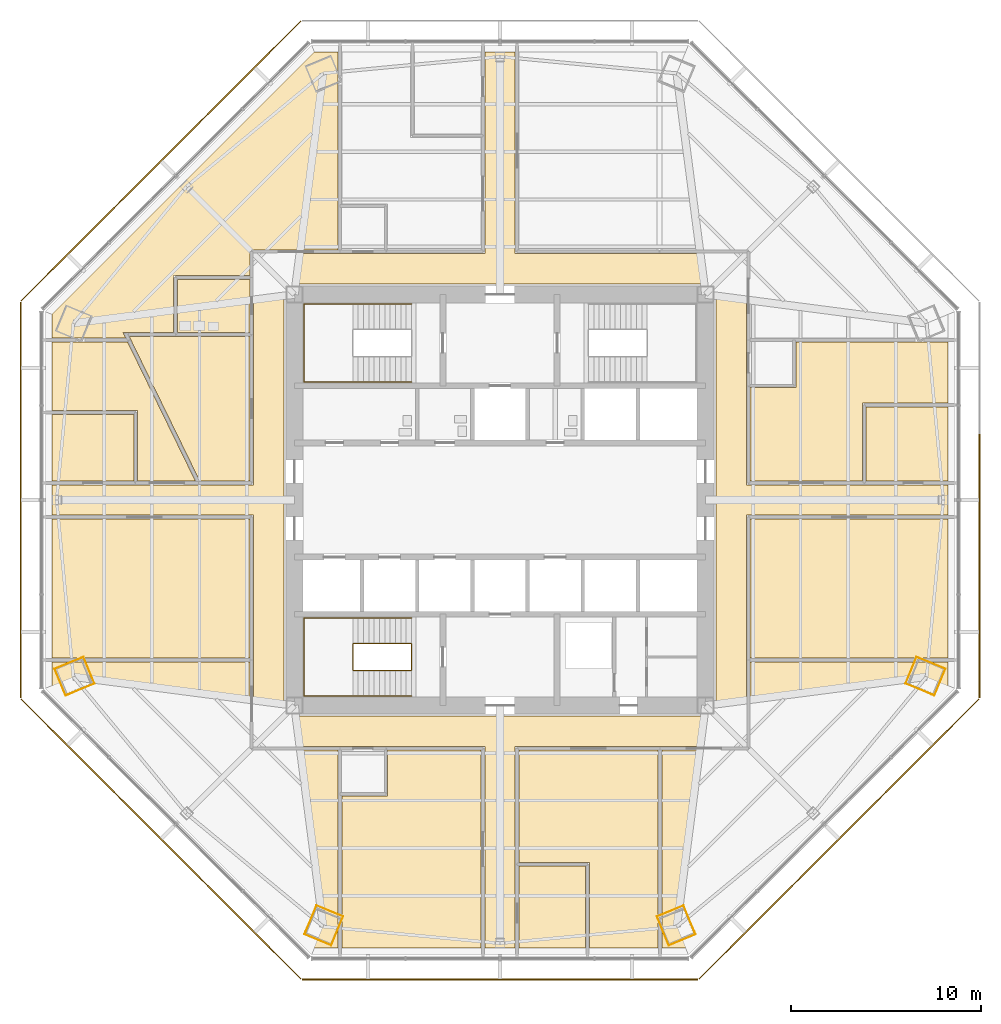
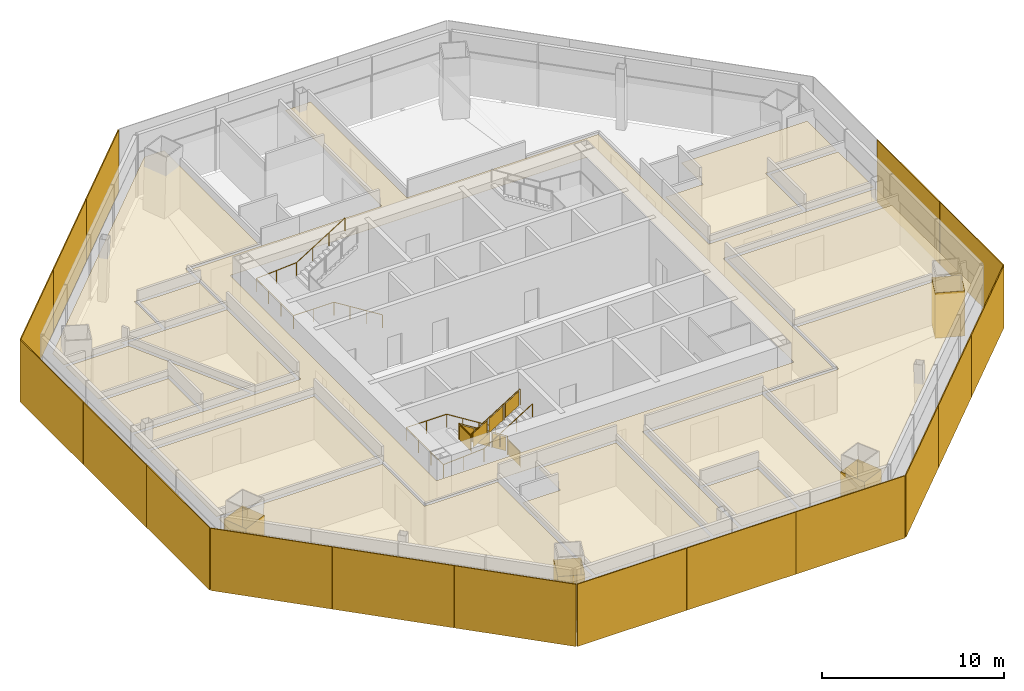
# One storey, part 12 of 14: 19 coverings, 17 shading devices, 3 railings.
"""IFC4 building model written with IfcOpenShell, lengths in metres."""

from ifc_helpers import new_model, si_unit, direction, frame, origin, origin_2d, place, context, subcontext, project, spatial, polyline, rectangle, circle, outline, extrude, source, transform, mapped, material, layer, layer_set, type_object, type_shapes, element, save


model = new_model("IFC4")

# Units and contexts
model_context = context("Model", 3, precision=1e-05, world=origin(), true_north=direction((0.0, 1.0)))
body_context = subcontext(model_context, "Body", "Model", "MODEL_VIEW")
ifc_project = project(units=[si_unit("LENGTHUNIT", "METRE"), si_unit("AREAUNIT", "SQUARE_METRE"), si_unit("VOLUMEUNIT", "CUBIC_METRE"), si_unit("PLANEANGLEUNIT", "RADIAN"), si_unit("MASSUNIT", "GRAM", prefix="KILO")], contexts=[model_context])

# Site, building, storey
site_placement = place(None, origin())
site = spatial("IfcSite", under=ifc_project, at=site_placement, CompositionType="ELEMENT")
building_placement = place(site_placement, origin())
building = spatial("IfcBuilding", under=site, at=building_placement, Name="Mashrafa Tower", CompositionType="ELEMENT")
storey_placement = place(building_placement, frame((0.0, 0.0, 138.60009765625)))
storey = spatial("IfcBuildingStorey", under=building, at=storey_placement, Name="L31", CompositionType="ELEMENT", Elevation=138.60009765625)

# Coverings
ifc_material_1 = material(Name="Gypsum board")
ifc_layer_1 = layer(ifc_material_1, 0.014892578125)
ifc_layer_set_1 = layer_set([ifc_layer_1], Name="Column casing plasterboard 15")
covering_type_1 = type_object("IfcCoveringType", Name="Column casing plasterboard 15", PredefinedType="CLADDING", material=ifc_layer_set_1)
covering_1_placement = place(storey_placement, origin())
element("IfcCovering", 1, at=covering_1_placement, inside=storey, type_object=covering_type_1, Name="Column casing L31-001", PredefinedType="CLADDING", context=body_context, shape_type="SweptSolid", body=[
    extrude(outline(polyline([(-23.41552734375, -8.87109375), (-22.01513671875, -8.291015625), (-21.882568359375, -8.236083984375), (-21.297119140625, -9.649658203125), (-22.697509765625, -10.2294921875), (-22.830078125, -10.284423828125), (-23.41552734375, -8.87109375)]), holes=[polyline([(-22.703125, -10.2158203125), (-21.316650390625, -9.641357421875), (-21.890625, -8.255615234375), (-22.009521484375, -8.3046875), (-23.39599609375, -8.879150390625), (-22.822021484375, -10.264892578125), (-22.703125, -10.2158203125)])]), origin(), (0.0, 0.0, 1.0), 3.0419921875),
])
covering_2_placement = place(storey_placement, origin())
element("IfcCovering", 2, at=covering_2_placement, inside=storey, type_object=covering_type_1, Name="Column casing L31-002", PredefinedType="CLADDING", context=body_context, shape_type="SweptSolid", body=[
    extrude(outline(polyline([(-10.284423828125, -22.830078125), (-10.2294921875, -22.697509765625), (-9.649658203125, -21.297119140625), (-8.236083984375, -21.882568359375), (-8.291015625, -22.01513671875), (-8.87109375, -23.41552734375), (-10.284423828125, -22.830078125)]), holes=[polyline([(-8.3046875, -22.009521484375), (-8.255615234375, -21.890625), (-9.641357421875, -21.316650390625), (-10.2158203125, -22.703125), (-10.264892578125, -22.822021484375), (-8.879150390625, -23.39599609375), (-8.3046875, -22.009521484375)])]), origin(), (0.0, 0.0, 1.0), 3.0419921875),
])
covering_3_placement = place(storey_placement, origin())
element("IfcCovering", 3, at=covering_3_placement, inside=storey, type_object=covering_type_1, Name="Column casing L31-003", PredefinedType="CLADDING", context=body_context, shape_type="SweptSolid", body=[
    extrude(outline(polyline([(8.291015625, -22.01513671875), (8.236083984375, -21.882568359375), (9.649658203125, -21.297119140625), (10.2294921875, -22.697509765625), (10.284423828125, -22.830078125), (8.87109375, -23.41552734375), (8.291015625, -22.01513671875)]), holes=[polyline([(10.264892578125, -22.822021484375), (10.2158203125, -22.703125), (9.641357421875, -21.316650390625), (8.255615234375, -21.890625), (8.3046875, -22.009521484375), (8.879150390625, -23.39599609375), (10.264892578125, -22.822021484375)])]), origin(), (0.0, 0.0, 1.0), 3.0419921875),
])
covering_4_placement = place(storey_placement, origin())
element("IfcCovering", 4, at=covering_4_placement, inside=storey, type_object=covering_type_1, Name="Column casing L31-004", PredefinedType="CLADDING", context=body_context, shape_type="SweptSolid", body=[
    extrude(outline(polyline([(22.697509765625, -10.2294921875), (21.297119140625, -9.649658203125), (21.882568359375, -8.236083984375), (22.01513671875, -8.291015625), (23.41552734375, -8.87109375), (22.830078125, -10.284423828125), (22.697509765625, -10.2294921875)]), holes=[polyline([(23.39599609375, -8.879150390625), (22.009521484375, -8.3046875), (21.890625, -8.255615234375), (21.316650390625, -9.641357421875), (22.703125, -10.2158203125), (22.822021484375, -10.264892578125), (23.39599609375, -8.879150390625)])]), origin(), (0.0, 0.0, 1.0), 3.0419921875),
])

# Railings
ifc_material_2 = material(Name="Steel guard with glass infill", Category="steel")
railing_type_1 = type_object("IfcRailingType", Name="Stair guard 1100", PredefinedType="GUARDRAIL", material=ifc_material_2)
railing_1_placement = place(storey_placement, frame((-4.64990234375, -8.949951171875, 0.0)))
element("IfcRailing", 5, at=railing_1_placement, inside=storey, type_object=railing_type_1, Name="Stair S3 guard L31", PredefinedType="GUARDRAIL", context=body_context, shape_type="SweptSolid", body=[
    extrude(circle(Radius=0.02392578125, at=origin_2d()), frame((0.0, 0.0, 1.076171875), z_axis=(0.0, 1.0, 0.0), x_axis=(-1.0, 0.0, 0.0)), (0.0, 0.0, 1.0), 1.39990234375),
    extrude(circle(Radius=0.02392578125, at=origin_2d()), frame((0.0, 1.39990234375, 1.076171875), z_axis=(0.0, 0.0, 1.0), x_axis=(1.0, 0.0, 0.0)), (0.0, 0.0, 1.0), 0.1748046875),
    extrude(circle(Radius=0.02392578125, at=origin_2d()), frame((0.0, 1.39990234375, 1.2509765625), z_axis=(-0.847998304005, 0.0, 0.529998940003), x_axis=(0.0, -1.0, 0.0)), (0.0, 0.0, 1.0), 3.632080078125),
    extrude(circle(Radius=0.02392578125, at=origin_2d()), frame((-3.080078125, 1.39990234375, 3.17578125), z_axis=(0.0, -1.0, 0.0), x_axis=(1.0, 0.0, 0.0)), (0.0, 0.0, 1.0), 1.39990234375),
    extrude(circle(Radius=0.02392578125, at=origin_2d()), frame((-3.080078125, 0.0, 3.17578125), z_axis=(0.0, 0.0, 1.0), x_axis=(1.0, 0.0, 0.0)), (0.0, 0.0, 1.0), 0.175048828125),
    extrude(circle(Radius=0.02392578125, at=origin_2d()), frame((-3.080078125, 0.0, 3.35107421875), z_axis=(0.847998304005, 0.0, 0.529998940003), x_axis=(0.0, 1.0, 0.0)), (0.0, 0.0, 1.0), 3.632080078125),
    extrude(circle(Radius=0.02099609375, at=origin_2d()), origin(), (0.0, 0.0, 1.0), 1.052001953125),
    extrude(circle(Radius=0.02099609375, at=origin_2d()), frame((0.0, 1.39990234375, 0.0)), (0.0, 0.0, 1.0), 1.052001953125),
    extrude(circle(Radius=0.02099609375, at=origin_2d()), frame((0.0, 1.39990234375, 0.1748046875)), (0.0, 0.0, 1.0), 1.052001953125),
    extrude(circle(Radius=0.02099609375, at=origin_2d()), frame((-1.026611328125, 1.39990234375, 0.81640625)), (0.0, 0.0, 1.0), 1.052001953125),
    extrude(circle(Radius=0.02099609375, at=origin_2d()), frame((-2.053466796875, 1.39990234375, 1.458251953125)), (0.0, 0.0, 1.0), 1.052001953125),
    extrude(circle(Radius=0.02099609375, at=origin_2d()), frame((-3.080078125, 1.39990234375, 2.099853515625)), (0.0, 0.0, 1.0), 1.052001953125),
    extrude(circle(Radius=0.02099609375, at=origin_2d()), frame((-3.080078125, 0.0, 2.099853515625)), (0.0, 0.0, 1.0), 1.052001953125),
    extrude(circle(Radius=0.02099609375, at=origin_2d()), frame((-3.080078125, 0.0, 2.27490234375)), (0.0, 0.0, 1.0), 1.052001953125),
    extrude(circle(Radius=0.02099609375, at=origin_2d()), frame((-2.053466796875, 0.0, 2.91650390625)), (0.0, 0.0, 1.0), 1.052001953125),
    extrude(circle(Radius=0.02099609375, at=origin_2d()), frame((-1.026611328125, 0.0, 3.558349609375)), (0.0, 0.0, 1.0), 1.052001953125),
    extrude(circle(Radius=0.02099609375, at=origin_2d()), frame((0.0, 0.0, 4.199951171875)), (0.0, 0.0, 1.0), 1.052001953125),
    extrude(outline(polyline([(0.071044921875, 0.050048828125), (1.328857421875, 0.050048828125), (1.328857421875, 1.001953125), (0.071044921875, 1.001953125), (0.071044921875, 0.050048828125)])), frame((0.006103515625, 0.0, 0.0), z_axis=(1.0, 0.0, 0.0), x_axis=(0.0, 1.0, 0.0)), (0.0, 0.0, 1.0), 0.011962890625),
    extrude(outline(polyline([(0.071044921875, 0.094482421875), (0.955810546875, 0.647216796875), (0.955810546875, 1.599365234375), (0.071044921875, 1.04638671875), (0.071044921875, 0.094482421875)])), frame((0.0, 1.406005859375, 0.1748046875), z_axis=(0.0, 1.0, 0.0), x_axis=(-1.0, 0.0, 0.0)), (0.0, 0.0, 1.0), 0.011962890625),
    extrude(outline(polyline([(1.09765625, 0.736083984375), (1.982421875, 1.2890625), (1.982421875, 2.240966796875), (1.09765625, 1.68798828125), (1.09765625, 0.736083984375)])), frame((0.0, 1.406005859375, 0.1748046875), z_axis=(0.0, 1.0, 0.0), x_axis=(-1.0, 0.0, 0.0)), (0.0, 0.0, 1.0), 0.011962890625),
    extrude(outline(polyline([(2.124267578125, 1.377685546875), (3.009033203125, 1.9306640625), (3.009033203125, 2.882568359375), (2.124267578125, 2.329833984375), (2.124267578125, 1.377685546875)])), frame((0.0, 1.406005859375, 0.1748046875), z_axis=(0.0, 1.0, 0.0), x_axis=(-1.0, 0.0, 0.0)), (0.0, 0.0, 1.0), 0.011962890625),
    extrude(outline(polyline([(0.071044921875, 0.050048828125), (1.328857421875, 0.050048828125), (1.328857421875, 1.001953125), (0.071044921875, 1.001953125), (0.071044921875, 0.050048828125)])), frame((-3.086181640625, 1.39990234375, 2.099853515625), z_axis=(-1.0, 0.0, 0.0), x_axis=(0.0, -1.0, 0.0)), (0.0, 0.0, 1.0), 0.011962890625),
    extrude(outline(polyline([(0.071044921875, 0.094482421875), (0.955810546875, 0.647216796875), (0.955810546875, 1.599365234375), (0.071044921875, 1.04638671875), (0.071044921875, 0.094482421875)])), frame((-3.080078125, -0.006103515625, 2.27490234375), z_axis=(0.0, -1.0, 0.0), x_axis=(1.0, 0.0, 0.0)), (0.0, 0.0, 1.0), 0.011962890625),
    extrude(outline(polyline([(1.09765625, 0.736083984375), (1.982421875, 1.2890625), (1.982421875, 2.240966796875), (1.09765625, 1.68798828125), (1.09765625, 0.736083984375)])), frame((-3.080078125, -0.006103515625, 2.27490234375), z_axis=(0.0, -1.0, 0.0), x_axis=(1.0, 0.0, 0.0)), (0.0, 0.0, 1.0), 0.011962890625),
    extrude(outline(polyline([(2.124267578125, 1.377685546875), (3.009033203125, 1.9306640625), (3.009033203125, 2.882568359375), (2.124267578125, 2.329833984375), (2.124267578125, 1.377685546875)])), frame((-3.080078125, -0.006103515625, 2.27490234375), z_axis=(0.0, -1.0, 0.0), x_axis=(1.0, 0.0, 0.0)), (0.0, 0.0, 1.0), 0.011962890625),
])
ifc_material_3 = material(Name="Steel", Category="steel")
railing_type_2 = type_object("IfcRailingType", Name="Stair handrail 900", PredefinedType="HANDRAIL", material=ifc_material_3)
railing_2_placement = place(storey_placement, frame((-4.64990234375, 6.199951171875, 0.1748046875)))
element("IfcRailing", 6, at=railing_2_placement, inside=storey, type_object=railing_type_2, Name="Stair S1 handrail L31", PredefinedType="HANDRAIL", context=body_context, shape_type="SweptSolid", body=[
    extrude(circle(Radius=0.02392578125, at=origin_2d()), frame((0.0, 0.0, 0.8759765625), z_axis=(-0.847998304005, 0.0, 0.529998940003), x_axis=(0.0, -1.0, 0.0)), (0.0, 0.0, 1.0), 3.632080078125),
    extrude(circle(Radius=0.02392578125, at=origin_2d()), frame((-3.080078125, 0.0, 2.80078125), z_axis=(-1.0, 0.0, 0.0), x_axis=(0.0, -1.0, 0.0)), (0.0, 0.0, 1.0), 2.570068359375),
    extrude(circle(Radius=0.02392578125, at=origin_2d()), frame((-5.650146484375, 0.0, 2.80078125), z_axis=(0.0, 1.0, 0.0), x_axis=(-1.0, 0.0, 0.0)), (0.0, 0.0, 1.0), 4.10009765625),
    extrude(circle(Radius=0.02392578125, at=origin_2d()), frame((-5.650146484375, 4.10009765625, 2.80078125), z_axis=(0.997688514158, 0.0, 0.067953136188), x_axis=(0.0, 1.0, 0.0)), (0.0, 0.0, 1.0), 2.575927734375),
    extrude(circle(Radius=0.02392578125, at=origin_2d()), frame((-3.080078125, 4.10009765625, 2.97607421875), z_axis=(0.847998304005, 0.0, 0.529998940003), x_axis=(0.0, 1.0, 0.0)), (0.0, 0.0, 1.0), 3.632080078125),
    extrude(circle(Radius=0.02099609375, at=origin_2d()), origin(), (0.0, 0.0, 1.0), 0.851806640625),
    extrude(circle(Radius=0.02099609375, at=origin_2d()), frame((-1.026611328125, 0.0, 0.6416015625)), (0.0, 0.0, 1.0), 0.851806640625),
    extrude(circle(Radius=0.02099609375, at=origin_2d()), frame((-2.053466796875, 0.0, 1.283447265625)), (0.0, 0.0, 1.0), 0.851806640625),
    extrude(circle(Radius=0.02099609375, at=origin_2d()), frame((-3.080078125, 0.0, 1.925048828125)), (0.0, 0.0, 1.0), 0.851806640625),
    extrude(circle(Radius=0.02099609375, at=origin_2d()), frame((-4.365234375, 0.0, 1.925048828125)), (0.0, 0.0, 1.0), 0.851806640625),
    extrude(circle(Radius=0.02099609375, at=origin_2d()), frame((-5.650146484375, 0.0, 1.925048828125)), (0.0, 0.0, 1.0), 0.851806640625),
    extrude(circle(Radius=0.02099609375, at=origin_2d()), frame((-5.650146484375, 1.36669921875, 1.925048828125)), (0.0, 0.0, 1.0), 0.851806640625),
    extrude(circle(Radius=0.02099609375, at=origin_2d()), frame((-5.650146484375, 2.7333984375, 1.925048828125)), (0.0, 0.0, 1.0), 0.851806640625),
    extrude(circle(Radius=0.02099609375, at=origin_2d()), frame((-5.650146484375, 4.10009765625, 1.925048828125)), (0.0, 0.0, 1.0), 0.851806640625),
    extrude(circle(Radius=0.02099609375, at=origin_2d()), frame((-4.365234375, 4.10009765625, 2.0126953125)), (0.0, 0.0, 1.0), 0.851806640625),
    extrude(circle(Radius=0.02099609375, at=origin_2d()), frame((-3.080078125, 4.10009765625, 2.10009765625)), (0.0, 0.0, 1.0), 0.851806640625),
    extrude(circle(Radius=0.02099609375, at=origin_2d()), frame((-2.053466796875, 4.10009765625, 2.74169921875)), (0.0, 0.0, 1.0), 0.851806640625),
    extrude(circle(Radius=0.02099609375, at=origin_2d()), frame((-1.026611328125, 4.10009765625, 3.383544921875)), (0.0, 0.0, 1.0), 0.851806640625),
    extrude(circle(Radius=0.02099609375, at=origin_2d()), frame((0.0, 4.10009765625, 4.025146484375)), (0.0, 0.0, 1.0), 0.851806640625),
])
railing_3_placement = place(storey_placement, frame((-4.64990234375, -6.199951171875, 0.1748046875)))
element("IfcRailing", 7, at=railing_3_placement, inside=storey, type_object=railing_type_2, Name="Stair S3 handrail L31", PredefinedType="HANDRAIL", context=body_context, shape_type="SweptSolid", body=[
    extrude(circle(Radius=0.02392578125, at=origin_2d()), frame((0.0, 0.0, 0.8759765625), z_axis=(-0.847998304005, 0.0, 0.529998940003), x_axis=(0.0, -1.0, 0.0)), (0.0, 0.0, 1.0), 3.632080078125),
    extrude(circle(Radius=0.02392578125, at=origin_2d()), frame((-3.080078125, 0.0, 2.80078125), z_axis=(-1.0, 0.0, 0.0), x_axis=(0.0, -1.0, 0.0)), (0.0, 0.0, 1.0), 2.570068359375),
    extrude(circle(Radius=0.02392578125, at=origin_2d()), frame((-5.650146484375, 0.0, 2.80078125), z_axis=(0.0, -1.0, 0.0), x_axis=(1.0, 0.0, 0.0)), (0.0, 0.0, 1.0), 4.10009765625),
    extrude(circle(Radius=0.02392578125, at=origin_2d()), frame((-5.650146484375, -4.10009765625, 2.80078125), z_axis=(0.997688514158, 0.0, 0.067953136188), x_axis=(0.0, 1.0, 0.0)), (0.0, 0.0, 1.0), 2.575927734375),
    extrude(circle(Radius=0.02392578125, at=origin_2d()), frame((-3.080078125, -4.10009765625, 2.97607421875), z_axis=(0.847998304005, 0.0, 0.529998940003), x_axis=(0.0, 1.0, 0.0)), (0.0, 0.0, 1.0), 3.632080078125),
    extrude(circle(Radius=0.02099609375, at=origin_2d()), origin(), (0.0, 0.0, 1.0), 0.851806640625),
    extrude(circle(Radius=0.02099609375, at=origin_2d()), frame((-1.026611328125, 0.0, 0.6416015625)), (0.0, 0.0, 1.0), 0.851806640625),
    extrude(circle(Radius=0.02099609375, at=origin_2d()), frame((-2.053466796875, 0.0, 1.283447265625)), (0.0, 0.0, 1.0), 0.851806640625),
    extrude(circle(Radius=0.02099609375, at=origin_2d()), frame((-3.080078125, 0.0, 1.925048828125)), (0.0, 0.0, 1.0), 0.851806640625),
    extrude(circle(Radius=0.02099609375, at=origin_2d()), frame((-4.365234375, 0.0, 1.925048828125)), (0.0, 0.0, 1.0), 0.851806640625),
    extrude(circle(Radius=0.02099609375, at=origin_2d()), frame((-5.650146484375, 0.0, 1.925048828125)), (0.0, 0.0, 1.0), 0.851806640625),
    extrude(circle(Radius=0.02099609375, at=origin_2d()), frame((-5.650146484375, -1.36669921875, 1.925048828125)), (0.0, 0.0, 1.0), 0.851806640625),
    extrude(circle(Radius=0.02099609375, at=origin_2d()), frame((-5.650146484375, -2.7333984375, 1.925048828125)), (0.0, 0.0, 1.0), 0.851806640625),
    extrude(circle(Radius=0.02099609375, at=origin_2d()), frame((-5.650146484375, -4.10009765625, 1.925048828125)), (0.0, 0.0, 1.0), 0.851806640625),
    extrude(circle(Radius=0.02099609375, at=origin_2d()), frame((-4.365234375, -4.10009765625, 2.0126953125)), (0.0, 0.0, 1.0), 0.851806640625),
    extrude(circle(Radius=0.02099609375, at=origin_2d()), frame((-3.080078125, -4.10009765625, 2.10009765625)), (0.0, 0.0, 1.0), 0.851806640625),
    extrude(circle(Radius=0.02099609375, at=origin_2d()), frame((-2.053466796875, -4.10009765625, 2.74169921875)), (0.0, 0.0, 1.0), 0.851806640625),
    extrude(circle(Radius=0.02099609375, at=origin_2d()), frame((-1.026611328125, -4.10009765625, 3.383544921875)), (0.0, 0.0, 1.0), 0.851806640625),
    extrude(circle(Radius=0.02099609375, at=origin_2d()), frame((0.0, -4.10009765625, 4.025146484375)), (0.0, 0.0, 1.0), 0.851806640625),
])

# Coverings
ifc_material_4 = material(Name="Mineral fibre tile on suspension grid")
ifc_layer_2 = layer(ifc_material_4, 0.014892578125)
ifc_layer_set_2 = layer_set([ifc_layer_2], Name="Suspended ceiling mineral tile 15")
covering_type_2 = type_object("IfcCoveringType", Name="Suspended ceiling mineral tile 15", PredefinedType="CEILING", material=ifc_layer_set_2)
covering_5_placement = place(storey_placement, frame((0.0, 0.0, 2.89990234375)))
element("IfcCovering", 8, at=covering_5_placement, inside=storey, type_object=covering_type_2, Name="Ceiling Office Corridor L31", PredefinedType="CEILING", context=body_context, shape_type="SweptSolid", body=[
    extrude(outline(polyline([(-12.949951171875, -12.949951171875), (-12.949951171875, -0.800048828125), (-23.5439453125, -0.800048828125), (-23.5439453125, 0.800048828125), (-12.949951171875, 0.800048828125), (-12.949951171875, 12.949951171875), (-0.800048828125, 12.949951171875), (-0.800048828125, 23.5439453125), (0.800048828125, 23.5439453125), (0.800048828125, 12.949951171875), (12.949951171875, 12.949951171875), (12.949951171875, 0.800048828125), (23.5439453125, 0.800048828125), (23.5439453125, -0.800048828125), (12.949951171875, -0.800048828125), (12.949951171875, -12.949951171875), (0.800048828125, -12.949951171875), (0.800048828125, -23.5439453125), (-0.800048828125, -23.5439453125), (-0.800048828125, -12.949951171875), (-12.949951171875, -12.949951171875)]), holes=[polyline([(11.35009765625, 11.35009765625), (-11.35009765625, 11.35009765625), (-11.35009765625, -11.35009765625), (11.35009765625, -11.35009765625), (11.35009765625, 11.35009765625)])]), origin(), (0.0, 0.0, 1.0), 0.014892578125),
])
covering_6_placement = place(storey_placement, frame((0.0, 0.0, 2.89990234375)))
element("IfcCovering", 9, at=covering_6_placement, inside=storey, type_object=covering_type_2, Name="Ceiling Musallah Prayer Room 31", PredefinedType="CEILING", context=body_context, shape_type="SweptSolid", body=[
    extrude(outline(polyline([(-15.783203125, 1.0), (-19.489990234375, 8.60009765625), (-13.14990234375, 8.60009765625), (-13.14990234375, 1.0), (-15.783203125, 1.0)])), origin(), (0.0, 0.0, 1.0), 0.014892578125),
])
covering_7_placement = place(storey_placement, frame((0.0, 0.0, 2.89990234375)))
element("IfcCovering", 10, at=covering_7_placement, inside=storey, type_object=covering_type_2, Name="Ceiling Ablution Room L31", PredefinedType="CEILING", context=body_context, shape_type="SweptSolid", body=[
    extrude(outline(polyline([(-16.949951171875, 8.800048828125), (-16.949951171875, 11.60009765625), (-13.14990234375, 11.60009765625), (-13.14990234375, 8.800048828125), (-16.949951171875, 8.800048828125)])), origin(), (0.0, 0.0, 1.0), 0.014892578125),
])
covering_8_placement = place(storey_placement, frame((0.0, 0.0, 2.89990234375)))
element("IfcCovering", 11, at=covering_8_placement, inside=storey, type_object=covering_type_2, Name="Ceiling Meeting Room 31-E", PredefinedType="CEILING", context=body_context, shape_type="SweptSolid", body=[
    extrude(outline(polyline([(19.243896484375, 4.89990234375), (23.5439453125, 4.89990234375), (23.5439453125, 1.0), (19.243896484375, 1.0), (19.243896484375, 4.89990234375)])), origin(), (0.0, 0.0, 1.0), 0.014892578125),
])
covering_9_placement = place(storey_placement, frame((0.0, 0.0, 2.89990234375)))
element("IfcCovering", 12, at=covering_9_placement, inside=storey, type_object=covering_type_2, Name="Ceiling Meeting Room 31-S", PredefinedType="CEILING", context=body_context, shape_type="SweptSolid", body=[
    extrude(outline(polyline([(1.0, -19.243896484375), (4.5, -19.243896484375), (4.5, -23.5439453125), (1.0, -23.5439453125), (1.0, -19.243896484375)])), origin(), (0.0, 0.0, 1.0), 0.014892578125),
])
covering_10_placement = place(storey_placement, frame((0.0, 0.0, 2.89990234375)))
element("IfcCovering", 13, at=covering_10_placement, inside=storey, type_object=covering_type_2, Name="Ceiling Meeting Room 31-W", PredefinedType="CEILING", context=body_context, shape_type="SweptSolid", body=[
    extrude(outline(polyline([(-19.243896484375, 4.5), (-19.243896484375, 1.0), (-23.5439453125, 1.0), (-23.5439453125, 4.5), (-19.243896484375, 4.5)])), origin(), (0.0, 0.0, 1.0), 0.014892578125),
])
covering_11_placement = place(storey_placement, frame((0.0, 0.0, 2.89990234375)))
element("IfcCovering", 14, at=covering_11_placement, inside=storey, type_object=covering_type_2, Name="Ceiling Office Suite 31-NE21", PredefinedType="CEILING", context=body_context, shape_type="SweptSolid", body=[
    extrude(outline(polyline([(15.550048828125, 8.300048828125), (23.5439453125, 8.300048828125), (23.5439453125, 5.10009765625), (19.0439453125, 5.10009765625), (19.0439453125, 1.0), (13.14990234375, 1.0), (13.14990234375, 5.89990234375), (15.550048828125, 5.89990234375), (15.550048828125, 8.300048828125)])), origin(), (0.0, 0.0, 1.0), 0.014892578125),
])
covering_12_placement = place(storey_placement, frame((0.0, 0.0, 2.89990234375)))
element("IfcCovering", 15, at=covering_12_placement, inside=storey, type_object=covering_type_2, Name="Ceiling Office Suite 31-NW21", PredefinedType="CEILING", context=body_context, shape_type="SweptSolid", body=[
    extrude(outline(polyline([(-23.5439453125, 4.699951171875), (-23.5439453125, 8.300048828125), (-19.566162109375, 8.300048828125), (-16.005615234375, 1.0), (-19.0439453125, 1.0), (-19.0439453125, 4.699951171875), (-23.5439453125, 4.699951171875)])), origin(), (0.0, 0.0, 1.0), 0.014892578125),
])
covering_13_placement = place(storey_placement, frame((0.0, 0.0, 2.89990234375)))
element("IfcCovering", 16, at=covering_13_placement, inside=storey, type_object=covering_type_2, Name="Ceiling Office Suite 31-NW22", PredefinedType="CEILING", context=body_context, shape_type="SweptSolid", body=[
    extrude(outline(polyline([(-19.663818359375, 8.5), (-23.5439453125, 8.5), (-23.5439453125, 9.752197265625), (-9.752197265625, 23.5439453125), (-8.5, 23.5439453125), (-8.5, 13.14990234375), (-13.14990234375, 13.14990234375), (-13.14990234375, 11.800048828125), (-17.14990234375, 11.800048828125), (-17.14990234375, 8.800048828125), (-19.81005859375, 8.800048828125), (-19.663818359375, 8.5)])), origin(), (0.0, 0.0, 1.0), 0.014892578125),
])
covering_14_placement = place(storey_placement, frame((0.0, 0.0, 2.89990234375)))
element("IfcCovering", 17, at=covering_14_placement, inside=storey, type_object=covering_type_2, Name="Ceiling Office Suite 31-SW12", PredefinedType="CEILING", context=body_context, shape_type="SweptSolid", body=[
    extrude(outline(polyline([(-1.0, -23.5439453125), (-8.300048828125, -23.5439453125), (-8.300048828125, -15.550048828125), (-5.89990234375, -15.550048828125), (-5.89990234375, -13.14990234375), (-1.0, -13.14990234375), (-1.0, -23.5439453125)])), origin(), (0.0, 0.0, 1.0), 0.014892578125),
])
covering_15_placement = place(storey_placement, frame((0.0, 0.0, 2.89990234375)))
element("IfcCovering", 18, at=covering_15_placement, inside=storey, type_object=covering_type_2, Name="Ceiling Office Suite 31-SW21", PredefinedType="CEILING", context=body_context, shape_type="SweptSolid", body=[
    extrude(outline(polyline([(-13.14990234375, -8.300048828125), (-23.5439453125, -8.300048828125), (-23.5439453125, -1.0), (-13.14990234375, -1.0), (-13.14990234375, -8.300048828125)])), origin(), (0.0, 0.0, 1.0), 0.014892578125),
])
covering_16_placement = place(storey_placement, frame((0.0, 0.0, 2.89990234375)))
element("IfcCovering", 19, at=covering_16_placement, inside=storey, type_object=covering_type_2, Name="Ceiling Office Suite 31-SW22", PredefinedType="CEILING", context=body_context, shape_type="SweptSolid", body=[
    extrude(outline(polyline([(-13.14990234375, -13.14990234375), (-8.5, -13.14990234375), (-8.5, -23.5439453125), (-9.752197265625, -23.5439453125), (-23.5439453125, -9.752197265625), (-23.5439453125, -8.5), (-13.14990234375, -8.5), (-13.14990234375, -13.14990234375)])), origin(), (0.0, 0.0, 1.0), 0.014892578125),
])
covering_17_placement = place(storey_placement, frame((0.0, 0.0, 2.89990234375)))
element("IfcCovering", 20, at=covering_17_placement, inside=storey, type_object=covering_type_2, Name="Ceiling Office Suite 31-SE12", PredefinedType="CEILING", context=body_context, shape_type="SweptSolid", body=[
    extrude(outline(polyline([(8.300048828125, -13.14990234375), (8.300048828125, -23.5439453125), (4.699951171875, -23.5439453125), (4.699951171875, -19.0439453125), (1.0, -19.0439453125), (1.0, -13.14990234375), (8.300048828125, -13.14990234375)])), origin(), (0.0, 0.0, 1.0), 0.014892578125),
])
covering_18_placement = place(storey_placement, frame((0.0, 0.0, 2.89990234375)))
element("IfcCovering", 21, at=covering_18_placement, inside=storey, type_object=covering_type_2, Name="Ceiling Office Suite 31-SE21", PredefinedType="CEILING", context=body_context, shape_type="SweptSolid", body=[
    extrude(outline(polyline([(23.5439453125, -1.0), (23.5439453125, -8.300048828125), (13.14990234375, -8.300048828125), (13.14990234375, -1.0), (23.5439453125, -1.0)])), origin(), (0.0, 0.0, 1.0), 0.014892578125),
])
covering_19_placement = place(storey_placement, frame((0.0, 0.0, 2.89990234375)))
element("IfcCovering", 22, at=covering_19_placement, inside=storey, type_object=covering_type_2, Name="Ceiling Office Suite 31-SE22", PredefinedType="CEILING", context=body_context, shape_type="SweptSolid", body=[
    extrude(outline(polyline([(13.14990234375, -8.5), (23.5439453125, -8.5), (23.5439453125, -9.752197265625), (9.752197265625, -23.5439453125), (8.5, -23.5439453125), (8.5, -13.14990234375), (13.14990234375, -13.14990234375), (13.14990234375, -8.5)])), origin(), (0.0, 0.0, 1.0), 0.014892578125),
])

# Shading devices
ifc_material_5 = material(Name="Perforated aluminium plate, eight-point star pattern", Category="aluminium")
ifc_layer_3 = layer(ifc_material_5, 0.06005859375)
ifc_layer_set_3 = layer_set([ifc_layer_3], Name="Mashrabiya screen panel office zone 2, 40 percent open")
shading_device_type = type_object("IfcShadingDeviceType", Name="Mashrabiya screen panel office zone 2, 40 percent open", PredefinedType="SHUTTER", material=ifc_layer_set_3)
shared_shape = source(origin(), body_context, "Body", "SweptSolid", [
    extrude(rectangle(XDim=6.922119140625, YDim=0.06005859375, at=origin_2d()), origin(), (0.0, 0.0, 1.0), 4.179931640625),
])
type_shapes(shading_device_type, [shared_shape])
for number, where, z_axis, x_axis, name in (
    (23, (25.19384765625, -6.942138671875, -0.14990234375), (0.0, 0.0, 1.0), (0.0, 1.0, 0.0), "Mashrabiya screen L31 east 1"),
    (24, (25.19384765625, 0.0, -0.14990234375), (0.0, 0.0, 1.0), (0.0, 1.0, 0.0), "Mashrabiya screen L31 east 2"),
    (25, (-12.906005859375, 22.7236328125, -0.14990234375), (0.0, 0.0, 1.0), (-0.707106781187, -0.707106781187, 0.0), "Mashrabiya screen L31 north-west 1"),
    (26, (-17.814697265625, 17.814697265625, -0.14990234375), (0.0, 0.0, 1.0), (-0.707106781187, -0.707106781187, 0.0), "Mashrabiya screen L31 north-west 2"),
    (27, (-22.7236328125, 12.906005859375, -0.14990234375), (0.0, 0.0, 1.0), (-0.707106781187, -0.707106781187, 0.0), "Mashrabiya screen L31 north-west 3"),
    (28, (-25.19384765625, 6.942138671875, -0.14990234375), (0.0, 0.0, 1.0), (0.0, -1.0, 0.0), "Mashrabiya screen L31 west 1"),
    (29, (-25.19384765625, 0.0, -0.14990234375), (0.0, 0.0, 1.0), (0.0, -1.0, 0.0), "Mashrabiya screen L31 west 2"),
    (30, (-25.19384765625, -6.942138671875, -0.14990234375), (0.0, 0.0, 1.0), (0.0, -1.0, 0.0), "Mashrabiya screen L31 west 3"),
    (31, (-22.7236328125, -12.906005859375, -0.14990234375), (0.0, 0.0, 1.0), (0.707106781187, -0.707106781187, 0.0), "Mashrabiya screen L31 south-west 1"),
    (32, (-17.814697265625, -17.814697265625, -0.14990234375), (0.0, 0.0, 1.0), (0.707106781187, -0.707106781187, 0.0), "Mashrabiya screen L31 south-west 2"),
    (33, (-12.906005859375, -22.7236328125, -0.14990234375), (0.0, 0.0, 1.0), (0.707106781187, -0.707106781187, 0.0), "Mashrabiya screen L31 south-west 3"),
    (34, (-6.942138671875, -25.19384765625, -0.14990234375), (0.0, 0.0, 1.0), (1.0, 0.0, 0.0), "Mashrabiya screen L31 south 1"),
    (35, (0.0, -25.19384765625, -0.14990234375), (0.0, 0.0, 1.0), (1.0, 0.0, 0.0), "Mashrabiya screen L31 south 2"),
    (36, (6.942138671875, -25.19384765625, -0.14990234375), (0.0, 0.0, 1.0), (1.0, 0.0, 0.0), "Mashrabiya screen L31 south 3"),
    (37, (12.906005859375, -22.7236328125, -0.14990234375), (0.0, 0.0, 1.0), (0.707106781187, 0.707106781187, 0.0), "Mashrabiya screen L31 south-east 1"),
    (38, (17.814697265625, -17.814697265625, -0.14990234375), (0.0, 0.0, 1.0), (0.707106781187, 0.707106781187, 0.0), "Mashrabiya screen L31 south-east 2"),
    (39, (22.7236328125, -12.906005859375, -0.14990234375), (0.0, 0.0, 1.0), (0.707106781187, 0.707106781187, 0.0), "Mashrabiya screen L31 south-east 3"),
):
    element("IfcShadingDevice", number, at=place(storey_placement, frame(where, z_axis=z_axis, x_axis=x_axis)), inside=storey, type_object=shading_device_type, Name=name, PredefinedType="SHUTTER", context=body_context, shape_type="MappedRepresentation", body=[
        mapped(shared_shape, transform((0.0, 0.0, 0.0))),
    ])

save(model, "model.ifc")
